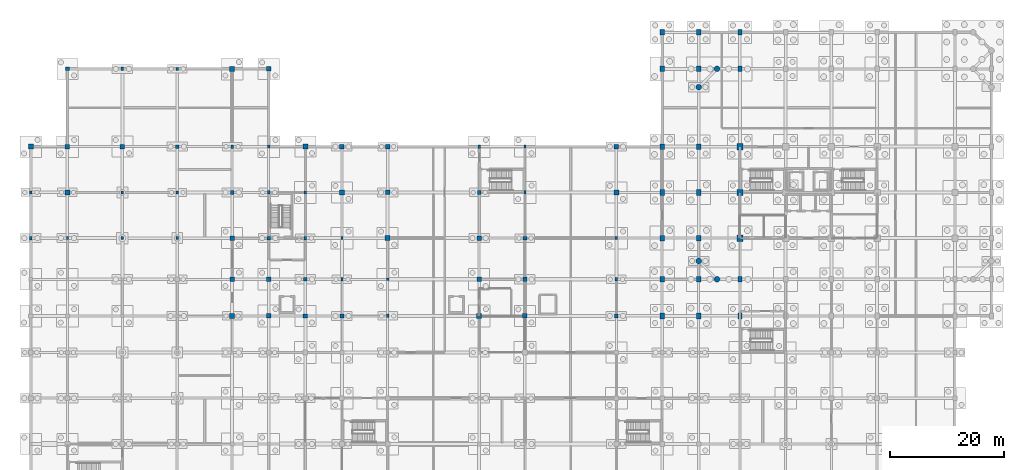
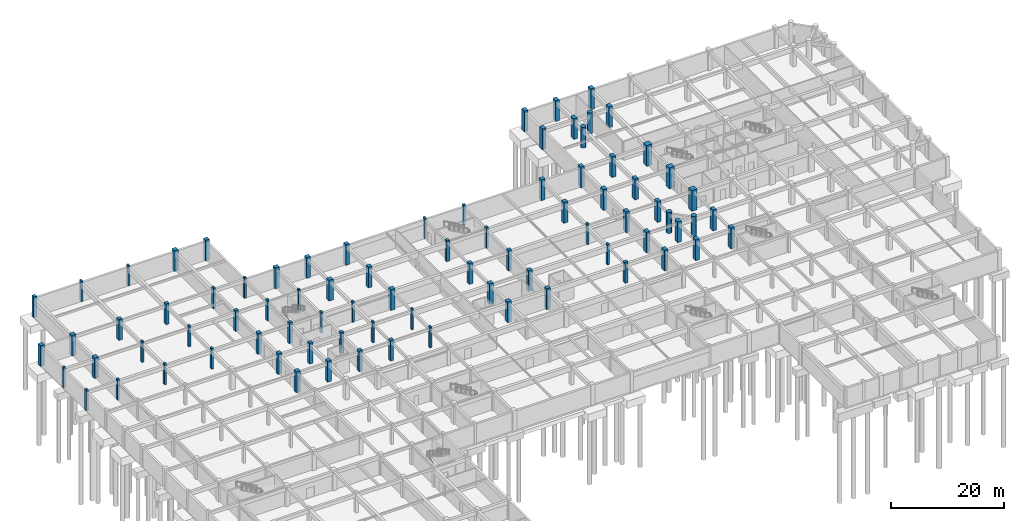
# One storey, part 7 of 28: 82 columns.
"""IFC4 building model written with IfcOpenShell, lengths in metres."""

from ifc_helpers import new_model, si_unit, direction, frame, origin, origin_2d, place, context, subcontext, project, spatial, rectangle, circle, extrude, material, material_profile, profile_set, type_object, element, save


model = new_model("IFC4")

# Units and contexts
model_context = context("Model", 3, precision=1e-05, world=origin(), true_north=direction((0.0, 1.0)))
body_context = subcontext(model_context, "Body", "Model", "MODEL_VIEW")
ifc_project = project(units=[si_unit("LENGTHUNIT", "METRE"), si_unit("AREAUNIT", "SQUARE_METRE"), si_unit("VOLUMEUNIT", "CUBIC_METRE"), si_unit("PLANEANGLEUNIT", "RADIAN"), si_unit("MASSUNIT", "GRAM", prefix="KILO")], contexts=[model_context])

# Site, building, storey
site_placement = place(None, origin())
site = spatial("IfcSite", under=ifc_project, at=site_placement, CompositionType="ELEMENT")
building_placement = place(site_placement, origin())
building = spatial("IfcBuilding", under=site, at=building_placement, Name="Vellmiral Cinema and Media Centre", CompositionType="ELEMENT")
storey_placement = place(building_placement, frame((0.0, 0.0, -4.5)))
storey = spatial("IfcBuildingStorey", under=building, at=storey_placement, Name="B1", CompositionType="ELEMENT", Elevation=-4.5)

# Columns
ifc_material_1 = material(Name="Concrete C40/50", Category="concrete")
ifc_material_profile_1 = material_profile(ifc_material_1, rectangle(XDim=1.10009765625, YDim=1.10009765625, at=origin_2d()), Name="RC 1100x1100")
ifc_profile_set_1 = profile_set([ifc_material_profile_1], Name="Concrete C40/50")
column_type_1 = type_object("IfcColumnType", Name="COL-RC-1100x1100", PredefinedType="COLUMN", material=ifc_profile_set_1)
for number, where, z_axis, x_axis, name in (
    (1, (124.0, 79.199951171875, 0.0), (0.0, 0.0, 1.0), (1.0, 0.0, 0.0), "Column B1-170"),
    (2, (124.0, 87.199951171875, 0.0), (0.0, 0.0, 1.0), (1.0, 0.0, 0.0), "Column B1-171"),
    (3, (124.0, 95.199951171875, 0.0), (0.0, 0.0, 1.0), (1.0, 0.0, 0.0), "Column B1-172"),
):
    element("IfcColumn", number, at=place(storey_placement, frame(where, z_axis=z_axis, x_axis=x_axis)), inside=storey, type_object=column_type_1, Name=name, PredefinedType="COLUMN", context=body_context, shape_type="SweptSolid", body=[
        extrude(rectangle(XDim=1.10009765625, YDim=1.10009765625, at=origin_2d()), origin(), (0.0, 0.0, 1.0), 4.5),
    ])
ifc_material_2 = material(Name="Concrete C40/50", Category="concrete")
ifc_material_profile_2 = material_profile(ifc_material_2, rectangle(XDim=0.39990234375, YDim=0.5, at=origin_2d()), Name="RC 400x500")
ifc_profile_set_2 = profile_set([ifc_material_profile_2], Name="Concrete C40/50")
column_type_2 = type_object("IfcColumnType", Name="COL-RC-400x500", PredefinedType="COLUMN", material=ifc_profile_set_2)
for number, where, z_axis, x_axis, name in (
    (4, (0.0, 87.199951171875, 0.0), (0.0, 0.0, 1.0), (1.0, 0.0, 0.0), "Column B1-010"),
    (5, (6.39990234375, 79.199951171875, 0.0), (0.0, 0.0, 1.0), (1.0, 0.0, 0.0), "Column B1-021"),
    (6, (25.60009765625, 108.800048828125, 0.0), (0.0, 0.0, 1.0), (1.0, 0.0, 0.0), "Column B1-050"),
    (7, (41.60009765625, 95.199951171875, 0.0), (0.0, 0.0, 1.0), (1.0, 0.0, 0.0), "Column B1-075"),
    (8, (48.0, 87.199951171875, 0.0), (0.0, 0.0, 1.0), (1.0, 0.0, 0.0), "Column B1-087"),
    (9, (54.39990234375, 79.199951171875, 0.0), (0.0, 0.0, 1.0), (1.0, 0.0, 0.0), "Column B1-095"),
    (10, (62.39990234375, 72.0, 0.0), (0.0, 0.0, 1.0), (1.0, 0.0, 0.0), "Column B1-103"),
    (11, (86.39990234375, 95.199951171875, 0.0), (0.0, 0.0, 1.0), (1.0, 0.0, 0.0), "Column B1-124"),
    (12, (102.39990234375, 79.199951171875, 0.0), (0.0, 0.0, 1.0), (1.0, 0.0, 0.0), "Column B1-131"),
):
    element("IfcColumn", number, at=place(storey_placement, frame(where, z_axis=z_axis, x_axis=x_axis)), inside=storey, type_object=column_type_2, Name=name, PredefinedType="COLUMN", context=body_context, shape_type="SweptSolid", body=[
        extrude(rectangle(XDim=0.39990234375, YDim=0.5, at=origin_2d()), origin(), (0.0, 0.0, 1.0), 4.5),
    ])
ifc_material_3 = material(Name="Concrete C40/50", Category="concrete")
ifc_material_profile_3 = material_profile(ifc_material_3, rectangle(XDim=0.39990234375, YDim=0.550048828125, at=origin_2d()), Name="RC 400x550")
ifc_profile_set_3 = profile_set([ifc_material_profile_3], Name="Concrete C40/50")
column_type_3 = type_object("IfcColumnType", Name="COL-RC-400x550", PredefinedType="COLUMN", material=ifc_profile_set_3)
for number, where, z_axis, x_axis, name in (
    (13, (16.0, 79.199951171875, 0.0), (0.0, 0.0, 1.0), (1.0, 0.0, 0.0), "Column B1-034"),
    (14, (16.0, 87.199951171875, 0.0), (0.0, 0.0, 1.0), (1.0, 0.0, 0.0), "Column B1-035"),
    (15, (25.60009765625, 79.199951171875, 0.0), (0.0, 0.0, 1.0), (1.0, 0.0, 0.0), "Column B1-047"),
    (16, (25.60009765625, 87.199951171875, 0.0), (0.0, 0.0, 1.0), (1.0, 0.0, 0.0), "Column B1-048"),
):
    element("IfcColumn", number, at=place(storey_placement, frame(where, z_axis=z_axis, x_axis=x_axis)), inside=storey, type_object=column_type_3, Name=name, PredefinedType="COLUMN", context=body_context, shape_type="SweptSolid", body=[
        extrude(rectangle(XDim=0.39990234375, YDim=0.550048828125, at=origin_2d()), origin(), (0.0, 0.0, 1.0), 4.5),
    ])
ifc_material_4 = material(Name="Concrete C40/50", Category="concrete")
ifc_material_profile_4 = material_profile(ifc_material_4, rectangle(XDim=0.39990234375, YDim=0.60009765625, at=origin_2d()), Name="RC 400x600")
ifc_profile_set_4 = profile_set([ifc_material_profile_4], Name="Concrete C40/50")
column_type_4 = type_object("IfcColumnType", Name="COL-RC-400x600", PredefinedType="COLUMN", material=ifc_profile_set_4)
for number, where, z_axis, x_axis, name in (
    (17, (0.0, 79.199951171875, 0.0), (0.0, 0.0, 1.0), (1.0, 0.0, 0.0), "Column B1-009"),
    (18, (16.0, 108.800048828125, 0.0), (0.0, 0.0, 1.0), (1.0, 0.0, 0.0), "Column B1-037"),
    (19, (35.199951171875, 95.199951171875, 0.0), (0.0, 0.0, 1.0), (1.0, 0.0, 0.0), "Column B1-062"),
    (20, (41.60009765625, 87.199951171875, 0.0), (0.0, 0.0, 1.0), (1.0, 0.0, 0.0), "Column B1-074"),
    (21, (48.0, 79.199951171875, 0.0), (0.0, 0.0, 1.0), (1.0, 0.0, 0.0), "Column B1-086"),
    (22, (54.39990234375, 72.0, 0.0), (0.0, 0.0, 1.0), (1.0, 0.0, 0.0), "Column B1-094"),
    (23, (62.39990234375, 65.60009765625, 0.0), (0.0, 0.0, 1.0), (1.0, 0.0, 0.0), "Column B1-102"),
    (24, (78.39990234375, 95.199951171875, 0.0), (0.0, 0.0, 1.0), (1.0, 0.0, 0.0), "Column B1-115"),
    (25, (86.39990234375, 87.199951171875, 0.0), (0.0, 0.0, 1.0), (1.0, 0.0, 0.0), "Column B1-123"),
    (26, (102.39990234375, 72.0, 0.0), (0.0, 0.0, 1.0), (1.0, 0.0, 0.0), "Column B1-130"),
):
    element("IfcColumn", number, at=place(storey_placement, frame(where, z_axis=z_axis, x_axis=x_axis)), inside=storey, type_object=column_type_4, Name=name, PredefinedType="COLUMN", context=body_context, shape_type="SweptSolid", body=[
        extrude(rectangle(XDim=0.39990234375, YDim=0.60009765625, at=origin_2d()), origin(), (0.0, 0.0, 1.0), 4.5),
    ])
ifc_material_5 = material(Name="Concrete C40/50", Category="concrete")
ifc_material_profile_5 = material_profile(ifc_material_5, rectangle(XDim=0.64990234375, YDim=0.64990234375, at=origin_2d()), Name="RC 650x650")
ifc_profile_set_5 = profile_set([ifc_material_profile_5], Name="Concrete C40/50")
column_type_5 = type_object("IfcColumnType", Name="COL-RC-650x650", PredefinedType="COLUMN", material=ifc_profile_set_5)
for number, where, z_axis, x_axis, name in (
    (27, (6.39990234375, 108.800048828125, 0.0), (0.0, 0.0, 1.0), (1.0, 0.0, 0.0), "Column B1-024"),
    (28, (25.60009765625, 95.199951171875, 0.0), (0.0, 0.0, 1.0), (1.0, 0.0, 0.0), "Column B1-049"),
    (29, (35.199951171875, 87.199951171875, 0.0), (0.0, 0.0, 1.0), (1.0, 0.0, 0.0), "Column B1-061"),
    (30, (41.60009765625, 79.199951171875, 0.0), (0.0, 0.0, 1.0), (1.0, 0.0, 0.0), "Column B1-073"),
    (31, (48.0, 72.0, 0.0), (0.0, 0.0, 1.0), (1.0, 0.0, 0.0), "Column B1-085"),
    (32, (54.39990234375, 65.60009765625, 0.0), (0.0, 0.0, 1.0), (1.0, 0.0, 0.0), "Column B1-093"),
    (33, (78.39990234375, 87.199951171875, 0.0), (0.0, 0.0, 1.0), (1.0, 0.0, 0.0), "Column B1-114"),
    (34, (86.39990234375, 79.199951171875, 0.0), (0.0, 0.0, 1.0), (1.0, 0.0, 0.0), "Column B1-122"),
    (35, (102.39990234375, 65.60009765625, 0.0), (0.0, 0.0, 1.0), (1.0, 0.0, 0.0), "Column B1-129"),
):
    element("IfcColumn", number, at=place(storey_placement, frame(where, z_axis=z_axis, x_axis=x_axis)), inside=storey, type_object=column_type_5, Name=name, PredefinedType="COLUMN", context=body_context, shape_type="SweptSolid", body=[
        extrude(rectangle(XDim=0.64990234375, YDim=0.64990234375, at=origin_2d()), origin(), (0.0, 0.0, 1.0), 4.5),
    ])
ifc_material_6 = material(Name="Concrete C40/50", Category="concrete")
ifc_material_profile_6 = material_profile(ifc_material_6, rectangle(XDim=0.75, YDim=1.0, at=origin_2d()), Name="RC 750x1000")
ifc_profile_set_6 = profile_set([ifc_material_profile_6], Name="Concrete C40/50")
column_type_6 = type_object("IfcColumnType", Name="COL-RC-750x1000", PredefinedType="COLUMN", material=ifc_profile_set_6)
for number, where, z_axis, x_axis, name in (
    (36, (110.39990234375, 65.60009765625, 0.0), (0.0, 0.0, 1.0), (1.0, 0.0, 0.0), "Column B1-138"),
    (37, (110.39990234375, 72.0, 0.0), (0.0, 0.0, 1.0), (1.0, 0.0, 0.0), "Column B1-139"),
    (38, (110.39990234375, 79.199951171875, 0.0), (0.0, 0.0, 1.0), (1.0, 0.0, 0.0), "Column B1-140"),
    (39, (110.39990234375, 87.199951171875, 0.0), (0.0, 0.0, 1.0), (1.0, 0.0, 0.0), "Column B1-141"),
    (40, (110.39990234375, 95.199951171875, 0.0), (0.0, 0.0, 1.0), (1.0, 0.0, 0.0), "Column B1-142"),
    (41, (110.39990234375, 108.800048828125, 0.0), (0.0, 0.0, 1.0), (1.0, 0.0, 0.0), "Column B1-143"),
    (42, (110.39990234375, 115.199951171875, 0.0), (0.0, 0.0, 1.0), (1.0, 0.0, 0.0), "Column B1-144"),
    (43, (116.800048828125, 65.60009765625, 0.0), (0.0, 0.0, 1.0), (1.0, 0.0, 0.0), "Column B1-151"),
    (44, (116.800048828125, 72.0, 0.0), (0.0, 0.0, 1.0), (1.0, 0.0, 0.0), "Column B1-152"),
    (45, (116.800048828125, 79.199951171875, 0.0), (0.0, 0.0, 1.0), (1.0, 0.0, 0.0), "Column B1-154"),
    (46, (116.800048828125, 87.199951171875, 0.0), (0.0, 0.0, 1.0), (1.0, 0.0, 0.0), "Column B1-155"),
    (47, (116.800048828125, 95.199951171875, 0.0), (0.0, 0.0, 1.0), (1.0, 0.0, 0.0), "Column B1-156"),
    (48, (116.800048828125, 108.800048828125, 0.0), (0.0, 0.0, 1.0), (1.0, 0.0, 0.0), "Column B1-158"),
    (49, (116.800048828125, 115.199951171875, 0.0), (0.0, 0.0, 1.0), (1.0, 0.0, 0.0), "Column B1-159"),
    (50, (124.0, 65.60009765625, 0.0), (0.0, 0.0, 1.0), (1.0, 0.0, 0.0), "Column B1-168"),
    (51, (124.0, 72.0, 0.0), (0.0, 0.0, 1.0), (1.0, 0.0, 0.0), "Column B1-169"),
    (52, (124.0, 108.800048828125, 0.0), (0.0, 0.0, 1.0), (1.0, 0.0, 0.0), "Column B1-173"),
    (53, (124.0, 115.199951171875, 0.0), (0.0, 0.0, 1.0), (1.0, 0.0, 0.0), "Column B1-174"),
):
    element("IfcColumn", number, at=place(storey_placement, frame(where, z_axis=z_axis, x_axis=x_axis)), inside=storey, type_object=column_type_6, Name=name, PredefinedType="COLUMN", context=body_context, shape_type="SweptSolid", body=[
        extrude(rectangle(XDim=0.75, YDim=1.0, at=origin_2d()), origin(), (0.0, 0.0, 1.0), 4.5),
    ])
ifc_material_7 = material(Name="Concrete C40/50", Category="concrete")
ifc_material_profile_7 = material_profile(ifc_material_7, rectangle(XDim=0.75, YDim=0.75, at=origin_2d()), Name="RC 750x750")
ifc_profile_set_7 = profile_set([ifc_material_profile_7], Name="Concrete C40/50")
column_type_7 = type_object("IfcColumnType", Name="COL-RC-750x750", PredefinedType="COLUMN", material=ifc_profile_set_7)
for number, where, z_axis, x_axis, name in (
    (54, (16.0, 95.199951171875, 0.0), (0.0, 0.0, 1.0), (1.0, 0.0, 0.0), "Column B1-036"),
    (55, (35.199951171875, 79.199951171875, 0.0), (0.0, 0.0, 1.0), (1.0, 0.0, 0.0), "Column B1-060"),
    (56, (41.60009765625, 72.0, 0.0), (0.0, 0.0, 1.0), (1.0, 0.0, 0.0), "Column B1-072"),
    (57, (48.0, 65.60009765625, 0.0), (0.0, 0.0, 1.0), (1.0, 0.0, 0.0), "Column B1-084"),
    (58, (62.39990234375, 95.199951171875, 0.0), (0.0, 0.0, 1.0), (1.0, 0.0, 0.0), "Column B1-106"),
    (59, (78.39990234375, 79.199951171875, 0.0), (0.0, 0.0, 1.0), (1.0, 0.0, 0.0), "Column B1-113"),
    (60, (86.39990234375, 72.0, 0.0), (0.0, 0.0, 1.0), (1.0, 0.0, 0.0), "Column B1-121"),
):
    element("IfcColumn", number, at=place(storey_placement, frame(where, z_axis=z_axis, x_axis=x_axis)), inside=storey, type_object=column_type_7, Name=name, PredefinedType="COLUMN", context=body_context, shape_type="SweptSolid", body=[
        extrude(rectangle(XDim=0.75, YDim=0.75, at=origin_2d()), origin(), (0.0, 0.0, 1.0), 4.5),
    ])
ifc_material_8 = material(Name="Concrete C40/50", Category="concrete")
ifc_material_profile_8 = material_profile(ifc_material_8, rectangle(XDim=0.800048828125, YDim=0.800048828125, at=origin_2d()), Name="RC 800x800")
ifc_profile_set_8 = profile_set([ifc_material_profile_8], Name="Concrete C40/50")
column_type_8 = type_object("IfcColumnType", Name="COL-RC-800x800", PredefinedType="COLUMN", material=ifc_profile_set_8)
for number, where, z_axis, x_axis, name in (
    (61, (6.39990234375, 95.199951171875, 0.0), (0.0, 0.0, 1.0), (1.0, 0.0, 0.0), "Column B1-023"),
    (62, (35.199951171875, 72.0, 0.0), (0.0, 0.0, 1.0), (1.0, 0.0, 0.0), "Column B1-059"),
    (63, (41.60009765625, 65.60009765625, 0.0), (0.0, 0.0, 1.0), (1.0, 0.0, 0.0), "Column B1-071"),
    (64, (41.60009765625, 108.800048828125, 0.0), (0.0, 0.0, 1.0), (1.0, 0.0, 0.0), "Column B1-076"),
    (65, (54.39990234375, 95.199951171875, 0.0), (0.0, 0.0, 1.0), (1.0, 0.0, 0.0), "Column B1-097"),
    (66, (62.39990234375, 87.199951171875, 0.0), (0.0, 0.0, 1.0), (1.0, 0.0, 0.0), "Column B1-105"),
    (67, (78.39990234375, 72.0, 0.0), (0.0, 0.0, 1.0), (1.0, 0.0, 0.0), "Column B1-112"),
    (68, (86.39990234375, 65.60009765625, 0.0), (0.0, 0.0, 1.0), (1.0, 0.0, 0.0), "Column B1-120"),
    (69, (102.39990234375, 95.199951171875, 0.0), (0.0, 0.0, 1.0), (1.0, 0.0, 0.0), "Column B1-133"),
):
    element("IfcColumn", number, at=place(storey_placement, frame(where, z_axis=z_axis, x_axis=x_axis)), inside=storey, type_object=column_type_8, Name=name, PredefinedType="COLUMN", context=body_context, shape_type="SweptSolid", body=[
        extrude(rectangle(XDim=0.800048828125, YDim=0.800048828125, at=origin_2d()), origin(), (0.0, 0.0, 1.0), 4.5),
    ])
ifc_material_9 = material(Name="Concrete C40/50", Category="concrete")
ifc_material_profile_9 = material_profile(ifc_material_9, rectangle(XDim=0.85009765625, YDim=0.85009765625, at=origin_2d()), Name="RC 850x850")
ifc_profile_set_9 = profile_set([ifc_material_profile_9], Name="Concrete C40/50")
column_type_9 = type_object("IfcColumnType", Name="COL-RC-850x850", PredefinedType="COLUMN", material=ifc_profile_set_9)
for number, where, z_axis, x_axis, name in (
    (70, (0.0, 95.199951171875, 0.0), (0.0, 0.0, 1.0), (1.0, 0.0, 0.0), "Column B1-011"),
    (71, (6.39990234375, 87.199951171875, 0.0), (0.0, 0.0, 1.0), (1.0, 0.0, 0.0), "Column B1-022"),
    (72, (35.199951171875, 65.60009765625, 0.0), (0.0, 0.0, 1.0), (1.0, 0.0, 0.0), "Column B1-058"),
    (73, (35.199951171875, 108.800048828125, 0.0), (0.0, 0.0, 1.0), (1.0, 0.0, 0.0), "Column B1-063"),
    (74, (48.0, 95.199951171875, 0.0), (0.0, 0.0, 1.0), (1.0, 0.0, 0.0), "Column B1-088"),
    (75, (54.39990234375, 87.199951171875, 0.0), (0.0, 0.0, 1.0), (1.0, 0.0, 0.0), "Column B1-096"),
    (76, (62.39990234375, 79.199951171875, 0.0), (0.0, 0.0, 1.0), (1.0, 0.0, 0.0), "Column B1-104"),
    (77, (78.39990234375, 65.60009765625, 0.0), (0.0, 0.0, 1.0), (1.0, 0.0, 0.0), "Column B1-111"),
    (78, (102.39990234375, 87.199951171875, 0.0), (0.0, 0.0, 1.0), (1.0, 0.0, 0.0), "Column B1-132"),
):
    element("IfcColumn", number, at=place(storey_placement, frame(where, z_axis=z_axis, x_axis=x_axis)), inside=storey, type_object=column_type_9, Name=name, PredefinedType="COLUMN", context=body_context, shape_type="SweptSolid", body=[
        extrude(rectangle(XDim=0.85009765625, YDim=0.85009765625, at=origin_2d()), origin(), (0.0, 0.0, 1.0), 4.5),
    ])
ifc_material_10 = material(Name="Concrete C40/50", Category="concrete")
ifc_material_profile_10 = material_profile(ifc_material_10, circle(Radius=0.5, at=origin_2d()), Name="RC D1000")
ifc_profile_set_10 = profile_set([ifc_material_profile_10], Name="Concrete C40/50")
column_type_10 = type_object("IfcColumnType", Name="COL-RCC-D1000", PredefinedType="COLUMN", material=ifc_profile_set_10)
for number, where, z_axis, x_axis, name in (
    (79, (116.800048828125, 75.199951171875, 0.0), (0.0, 0.0, 1.0), (1.0, 0.0, 0.0), "Column B1-153"),
    (80, (116.800048828125, 105.60009765625, 0.0), (0.0, 0.0, 1.0), (1.0, 0.0, 0.0), "Column B1-157"),
    (81, (120.0, 72.0, 0.0), (0.0, 0.0, 1.0), (1.0, 0.0, 0.0), "Column B1-160"),
    (82, (120.0, 108.800048828125, 0.0), (0.0, 0.0, 1.0), (1.0, 0.0, 0.0), "Column B1-161"),
):
    element("IfcColumn", number, at=place(storey_placement, frame(where, z_axis=z_axis, x_axis=x_axis)), inside=storey, type_object=column_type_10, Name=name, PredefinedType="COLUMN", context=body_context, shape_type="SweptSolid", body=[
        extrude(circle(Radius=0.5, at=origin_2d()), origin(), (0.0, 0.0, 1.0), 4.5),
    ])

save(model, "model.ifc")
